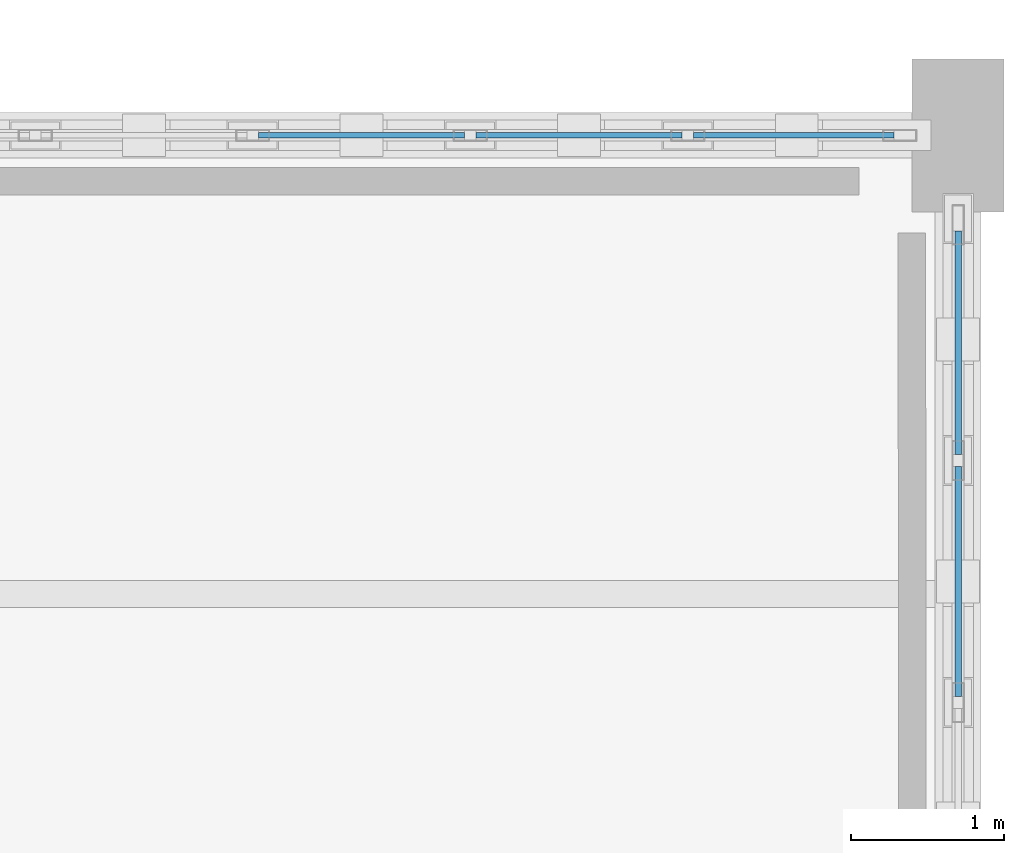
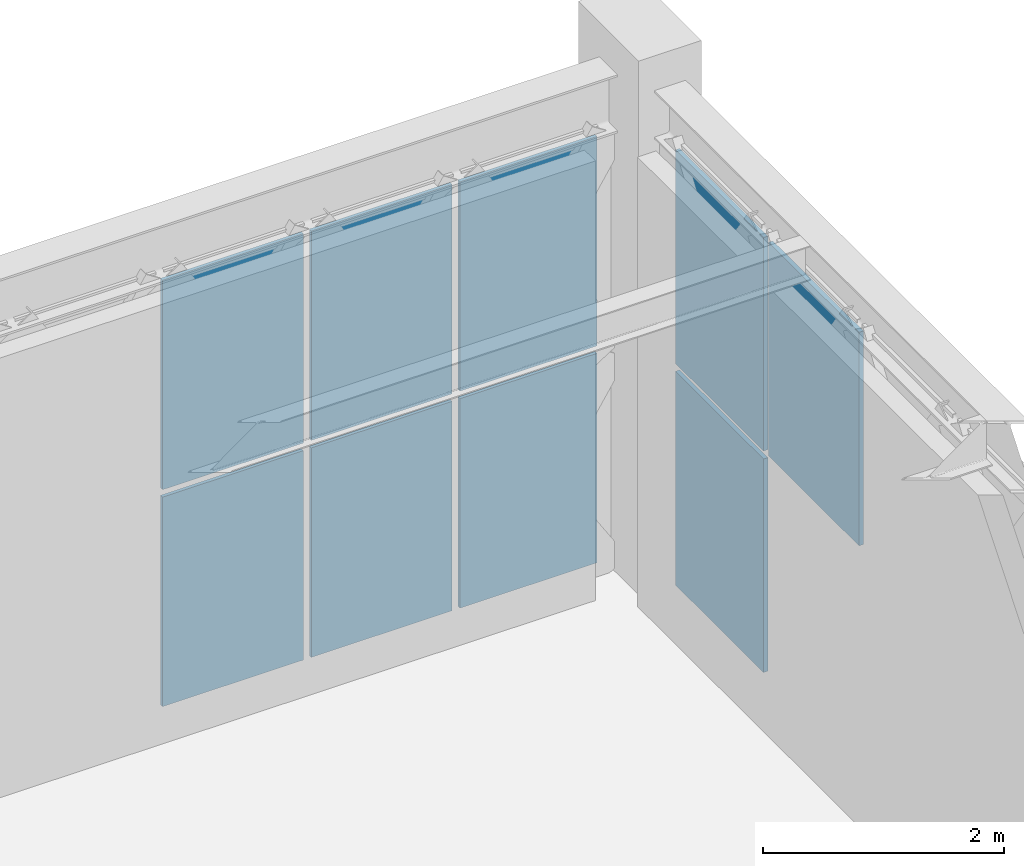
# One storey, part 131 of 155: 9 plates, 2 elements without a shape of their own.
"""IFC4 building model written with IfcOpenShell, lengths in metres."""

from ifc_helpers import new_model, si_unit, direction, frame, origin, origin_2d, place, context, subcontext, project, spatial, rectangle, extrude, material, layer, layer_set, type_object, element, aggregate, save


model = new_model("IFC4")

# Units and contexts
model_context = context("Model", 3, precision=1e-05, world=origin(), true_north=direction((0.0, 1.0)))
body_context = subcontext(model_context, "Body", "Model", "MODEL_VIEW")
ifc_project = project(units=[si_unit("LENGTHUNIT", "METRE"), si_unit("AREAUNIT", "SQUARE_METRE"), si_unit("VOLUMEUNIT", "CUBIC_METRE"), si_unit("PLANEANGLEUNIT", "RADIAN"), si_unit("MASSUNIT", "GRAM", prefix="KILO")], contexts=[model_context])

# Site, building, storey
site_placement = place(None, origin())
site = spatial("IfcSite", under=ifc_project, at=site_placement, CompositionType="ELEMENT")
building_placement = place(site_placement, origin())
building = spatial("IfcBuilding", under=site, at=building_placement, Name="Haizhuo Lancet Aquarium", CompositionType="ELEMENT")
storey_placement = place(building_placement, frame((0.0, 0.0, 10.800048828125)))
storey = spatial("IfcBuildingStorey", under=building, at=storey_placement, Name="L02", CompositionType="ELEMENT", Elevation=10.800048828125)

# Curtain wall, plates
ifc_material_1 = material(Name="Aluminium 6063-T6", Category="aluminium")
curtain_wall_type_1 = type_object("IfcCurtainWallType", Name="CWD-9960x4460", PredefinedType="NOTDEFINED", material=ifc_material_1)
curtain_wall_1_placement = place(storey_placement, origin())
curtain_wall_1 = element("IfcCurtainWall", 1, at=curtain_wall_1_placement, inside=storey, type_object=curtain_wall_type_1, Name="L02 curtain wall CW-V7-L02-302", PredefinedType="NOTDEFINED")
ifc_material_2 = material(Name="Laminated Low-E Glass", Category="glass")
ifc_layer_1 = layer(ifc_material_2, 0.033935546875)
ifc_layer_set_1 = layer_set([ifc_layer_1], Name="Laminated Low-E Glass")
plate_type_1 = type_object("IfcPlateType", Name="CW-PNL-2", PredefinedType="CURTAIN_PANEL", material=ifc_layer_set_1)
plate_1_placement = place(storey_placement, frame((78.597900390625, 18.0, 0.07470703125), z_axis=(0.0, 0.0, 1.0), x_axis=(1.0, 0.0, 0.0)))
plate_1 = element("IfcPlate", 2, at=plate_1_placement, type_object=plate_type_1, Name="CWD-99x44 panel 5.1", PredefinedType="CURTAIN_PANEL", context=body_context, shape_type="SweptSolid", body=[
    extrude(rectangle(XDim=1.347900390625, YDim=0.033935546875, at=origin_2d()), origin(), (0.0, 0.0, 1.0), 2.118896484375),
])
plate_2_placement = place(storey_placement, frame((78.597900390625, 18.0, 2.2685546875), z_axis=(0.0, 0.0, 1.0), x_axis=(1.0, 0.0, 0.0)))
plate_2 = element("IfcPlate", 3, at=plate_2_placement, type_object=plate_type_1, Name="CWD-99x44 panel 5.2", PredefinedType="CURTAIN_PANEL", context=body_context, shape_type="SweptSolid", body=[
    extrude(rectangle(XDim=1.347900390625, YDim=0.033935546875, at=origin_2d()), origin(), (0.0, 0.0, 1.0), 2.118896484375),
])
plate_3_placement = place(storey_placement, frame((80.02099609375, 18.0, 0.07470703125), z_axis=(0.0, 0.0, 1.0), x_axis=(1.0, 0.0, 0.0)))
plate_3 = element("IfcPlate", 4, at=plate_3_placement, type_object=plate_type_1, Name="CWD-99x44 panel 6.1", PredefinedType="CURTAIN_PANEL", context=body_context, shape_type="SweptSolid", body=[
    extrude(rectangle(XDim=1.347900390625, YDim=0.033935546875, at=origin_2d()), origin(), (0.0, 0.0, 1.0), 2.118896484375),
])
plate_4_placement = place(storey_placement, frame((80.02099609375, 18.0, 2.2685546875), z_axis=(0.0, 0.0, 1.0), x_axis=(1.0, 0.0, 0.0)))
plate_4 = element("IfcPlate", 5, at=plate_4_placement, type_object=plate_type_1, Name="CWD-99x44 panel 6.2", PredefinedType="CURTAIN_PANEL", context=body_context, shape_type="SweptSolid", body=[
    extrude(rectangle(XDim=1.347900390625, YDim=0.033935546875, at=origin_2d()), origin(), (0.0, 0.0, 1.0), 2.118896484375),
])
plate_5_placement = place(storey_placement, frame((81.425048828125, 18.0, 0.07470703125), z_axis=(0.0, 0.0, 1.0), x_axis=(1.0, 0.0, 0.0)))
plate_5 = element("IfcPlate", 6, at=plate_5_placement, type_object=plate_type_1, Name="CWD-99x44 panel 7.1", PredefinedType="CURTAIN_PANEL", context=body_context, shape_type="SweptSolid", body=[
    extrude(rectangle(XDim=1.31005859375, YDim=0.033935546875, at=origin_2d()), origin(), (0.0, 0.0, 1.0), 2.118896484375),
])
plate_6_placement = place(storey_placement, frame((81.425048828125, 18.0, 2.2685546875), z_axis=(0.0, 0.0, 1.0), x_axis=(1.0, 0.0, 0.0)))
plate_6 = element("IfcPlate", 7, at=plate_6_placement, type_object=plate_type_1, Name="CWD-99x44 panel 7.2", PredefinedType="CURTAIN_PANEL", context=body_context, shape_type="SweptSolid", body=[
    extrude(rectangle(XDim=1.31005859375, YDim=0.033935546875, at=origin_2d()), origin(), (0.0, 0.0, 1.0), 2.118896484375),
])
aggregate(curtain_wall_1, [plate_1, plate_2, plate_3, plate_4, plate_5, plate_6])

curtain_wall_type_2 = type_object("IfcCurtainWallType", Name="CWD-7910x4560", PredefinedType="NOTDEFINED", material=ifc_material_1)
curtain_wall_2_placement = place(storey_placement, origin())
curtain_wall_2 = element("IfcCurtainWall", 8, at=curtain_wall_2_placement, inside=storey, type_object=curtain_wall_type_2, Name="L02 curtain wall CW-V7-L02-303", PredefinedType="NOTDEFINED")
ifc_layer_2 = layer(ifc_material_2, 0.0419921875)
ifc_layer_set_2 = layer_set([ifc_layer_2], Name="Laminated Low-E Glass")
plate_type_2 = type_object("IfcPlateType", Name="CW-PNL-3", PredefinedType="CURTAIN_PANEL", material=ifc_layer_set_2)
plate_7_placement = place(storey_placement, frame((82.5, 16.64404296875, 0.07958984375), z_axis=(0.0, 0.0, 1.0), x_axis=(0.0, -1.0, 0.0)))
plate_7 = element("IfcPlate", 9, at=plate_7_placement, type_object=plate_type_2, Name="CWD-79x45 panel 1.1", PredefinedType="CURTAIN_PANEL", context=body_context, shape_type="SweptSolid", body=[
    extrude(rectangle(XDim=1.4619140625, YDim=0.0419921875, at=origin_2d()), origin(), (0.0, 0.0, 1.0), 2.160888671875),
])
plate_8_placement = place(storey_placement, frame((82.5, 16.64404296875, 2.3203125), z_axis=(0.0, 0.0, 1.0), x_axis=(0.0, -1.0, 0.0)))
plate_8 = element("IfcPlate", 10, at=plate_8_placement, type_object=plate_type_2, Name="CWD-79x45 panel 1.2", PredefinedType="CURTAIN_PANEL", context=body_context, shape_type="SweptSolid", body=[
    extrude(rectangle(XDim=1.4619140625, YDim=0.0419921875, at=origin_2d()), origin(), (0.0, 0.0, 1.0), 2.160888671875),
])
plate_9_placement = place(storey_placement, frame((82.5, 15.08203125, 2.3203125), z_axis=(0.0, 0.0, 1.0), x_axis=(0.0, -1.0, 0.0)))
plate_9 = element("IfcPlate", 11, at=plate_9_placement, type_object=plate_type_2, Name="CWD-79x45 panel 2.2", PredefinedType="CURTAIN_PANEL", context=body_context, shape_type="SweptSolid", body=[
    extrude(rectangle(XDim=1.501953125, YDim=0.0419921875, at=origin_2d()), origin(), (0.0, 0.0, 1.0), 2.160888671875),
])
aggregate(curtain_wall_2, [plate_7, plate_8, plate_9])

save(model, "model.ifc")
